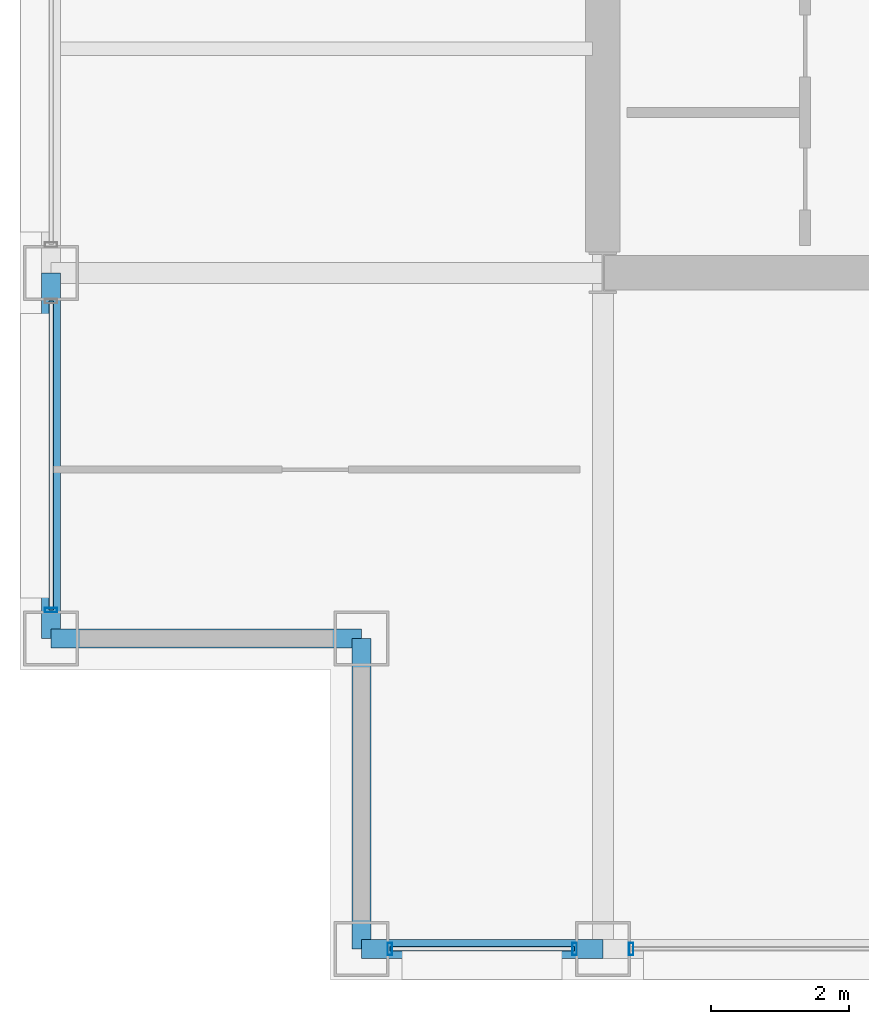
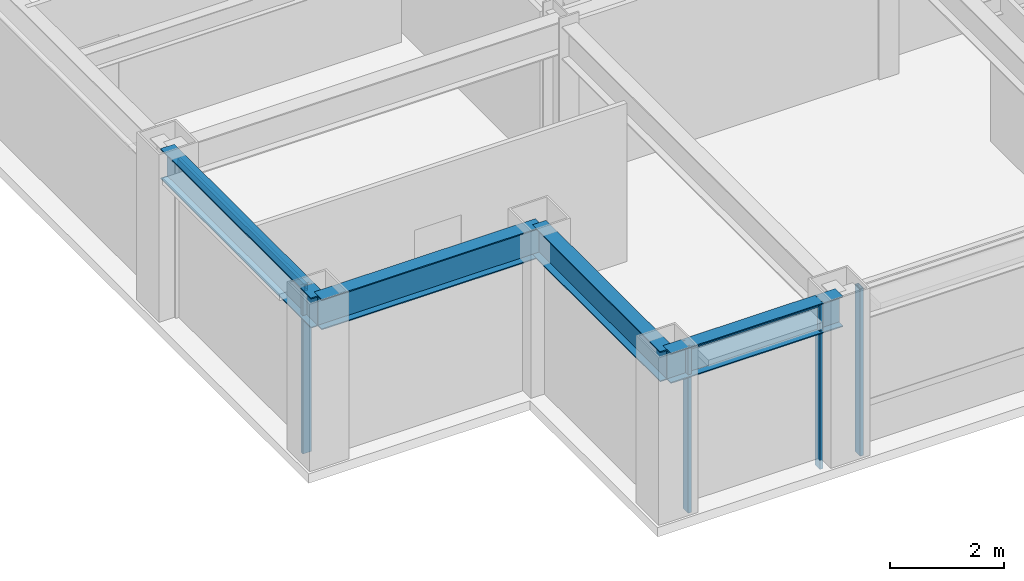
# One storey, part 2 of 29: 6 members, 4 beams, 3 elements without a shape of their own.
"""IFC4 building model written with IfcOpenShell, lengths in metres."""

from ifc_helpers import new_model, si_unit, direction, frame, origin, origin_2d, place, context, subcontext, project, spatial, hollow_rectangle, i_section, extrude, material, layer, layer_set, material_profile, profile_set, type_object, element, aggregate, save


model = new_model("IFC4")

# Units and contexts
model_context = context("Model", 3, precision=1e-05, world=origin(), true_north=direction((0.0, 1.0)))
body_context = subcontext(model_context, "Body", "Model", "MODEL_VIEW")
ifc_project = project(units=[si_unit("LENGTHUNIT", "METRE"), si_unit("AREAUNIT", "SQUARE_METRE"), si_unit("VOLUMEUNIT", "CUBIC_METRE"), si_unit("PLANEANGLEUNIT", "RADIAN"), si_unit("MASSUNIT", "GRAM", prefix="KILO")], contexts=[model_context])

# Site, building, storey
site_placement = place(None, origin())
site = spatial("IfcSite", under=ifc_project, at=site_placement, CompositionType="ELEMENT")
building_placement = place(site_placement, origin())
building = spatial("IfcBuilding", under=site, at=building_placement, Name="Brelmoor Portico Tower", CompositionType="ELEMENT")
storey_placement = place(building_placement, frame((0.0, 0.0, 127.800048828125)))
storey = spatial("IfcBuildingStorey", under=building, at=storey_placement, Name="L33", CompositionType="ELEMENT", Elevation=127.800048828125)

# Beams
ifc_material_1 = material(Name="Steel Q355B", Category="steel")
ifc_material_profile_1 = material_profile(ifc_material_1, i_section(OverallWidth=0.280029296875, OverallDepth=0.64990234375, WebThickness=0.012939453125, FlangeThickness=0.02197265625, at=origin_2d()), Name="HN 650x280x13x22")
ifc_profile_set_1 = profile_set([ifc_material_profile_1], Name="Steel Q355B")
beam_type = type_object("IfcBeamType", Name="BM-SP-650", PredefinedType="SPANDREL", material=ifc_profile_set_1)
beam_1_placement = place(storey_placement, frame((-18.050048828125, -19.550048828125, 3.074951171875), z_axis=(1.0, 0.0, 0.0), x_axis=(0.0, 1.0, 0.0)))
element("IfcBeam", 1, at=beam_1_placement, inside=storey, type_object=beam_type, Name="L33 Perimeter Spandrel Beam SP-01", PredefinedType="SPANDREL", context=body_context, shape_type="SweptSolid", body=[
    extrude(i_section(OverallWidth=0.280029296875, OverallDepth=0.64990234375, WebThickness=0.012939453125, FlangeThickness=0.02197265625, at=origin_2d()), origin(), (0.0, 0.0, 1.0), 3.5),
])
beam_2_placement = place(storey_placement, frame((-22.550048828125, -15.050048828125, 3.074951171875), z_axis=(1.0, 0.0, 0.0), x_axis=(0.0, 1.0, 0.0)))
element("IfcBeam", 2, at=beam_2_placement, inside=storey, type_object=beam_type, Name="L33 Perimeter Spandrel Beam SP-06", PredefinedType="SPANDREL", context=body_context, shape_type="SweptSolid", body=[
    extrude(i_section(OverallWidth=0.280029296875, OverallDepth=0.64990234375, WebThickness=0.012939453125, FlangeThickness=0.02197265625, at=origin_2d()), origin(), (0.0, 0.0, 1.0), 4.5),
])
beam_3_placement = place(storey_placement, frame((-22.550048828125, -15.050048828125, 3.074951171875), z_axis=(0.0, 1.0, 0.0), x_axis=(-1.0, 0.0, 0.0)))
element("IfcBeam", 3, at=beam_3_placement, inside=storey, type_object=beam_type, Name="L33 Perimeter Spandrel Beam SP-15", PredefinedType="SPANDREL", context=body_context, shape_type="SweptSolid", body=[
    extrude(i_section(OverallWidth=0.280029296875, OverallDepth=0.64990234375, WebThickness=0.012939453125, FlangeThickness=0.02197265625, at=origin_2d()), origin(), (0.0, 0.0, 1.0), 5.300048828125),
])
beam_4_placement = place(storey_placement, frame((-18.050048828125, -19.550048828125, 3.074951171875), z_axis=(0.0, 1.0, 0.0), x_axis=(-1.0, 0.0, 0.0)))
element("IfcBeam", 4, at=beam_4_placement, inside=storey, type_object=beam_type, Name="L33 Perimeter Spandrel Beam SP-18", PredefinedType="SPANDREL", context=body_context, shape_type="SweptSolid", body=[
    extrude(i_section(OverallWidth=0.280029296875, OverallDepth=0.64990234375, WebThickness=0.012939453125, FlangeThickness=0.02197265625, at=origin_2d()), origin(), (0.0, 0.0, 1.0), 4.5),
])

# Curtain wall, members
ifc_material_2 = material(Name="Anodised Aluminium Alloy 6063-T6", Category="aluminium")
ifc_layer_1 = layer(ifc_material_2, 0.179931640625)
ifc_layer_set_1 = layer_set([ifc_layer_1], Name="Anodised Aluminium Alloy 6063-T6")
curtain_wall_type_1 = type_object("IfcCurtainWallType", Name="CW-TOWER-Z2-XB", PredefinedType="NOTDEFINED", material=ifc_layer_set_1)
curtain_wall_1_placement = place(storey_placement, origin())
curtain_wall_1 = element("IfcCurtainWall", 5, at=curtain_wall_1_placement, inside=storey, type_object=curtain_wall_type_1, Name="L33 Curtain Wall CW-L33-01-1", PredefinedType="NOTDEFINED")
ifc_material_profile_2 = material_profile(ifc_material_2, hollow_rectangle(XDim=0.06494140625, YDim=0.179931640625, WallThickness=0.00390625, at=origin_2d()), Name="ALU MULLION 65x180")
ifc_profile_set_2 = profile_set([ifc_material_profile_2], Name="Anodised Aluminium Alloy 6063-T6")
member_type_1 = type_object("IfcMemberType", Name="MB-CW-MULL-180", PredefinedType="MULLION", material=ifc_profile_set_2)
member_1_placement = place(storey_placement, frame((-17.639892578125, -19.550048828125, -0.199951171875), z_axis=(0.0, 0.0, 1.0), x_axis=(1.0, 0.0, 0.0)))
member_1 = element("IfcMember", 6, at=member_1_placement, type_object=member_type_1, Name="CW-L33-01-1 Mullion 00", PredefinedType="MULLION", context=body_context, shape_type="SweptSolid", body=[
    extrude(hollow_rectangle(XDim=0.06494140625, YDim=0.179931640625, WallThickness=0.00390625, at=origin_2d()), origin(), (0.0, 0.0, 1.0), 3.599853515625),
])
member_2_placement = place(storey_placement, frame((-14.9599609375, -19.550048828125, -0.199951171875), z_axis=(0.0, 0.0, 1.0), x_axis=(1.0, 0.0, 0.0)))
member_2 = element("IfcMember", 7, at=member_2_placement, type_object=member_type_1, Name="CW-L33-01-1 Mullion 01", PredefinedType="MULLION", context=body_context, shape_type="SweptSolid", body=[
    extrude(hollow_rectangle(XDim=0.06494140625, YDim=0.179931640625, WallThickness=0.00390625, at=origin_2d()), origin(), (0.0, 0.0, 1.0), 3.599853515625),
])

# Curtain wall, member
ifc_layer_2 = layer(ifc_material_2, 0.179931640625)
ifc_layer_set_2 = layer_set([ifc_layer_2], Name="Anodised Aluminium Alloy 6063-T6")
curtain_wall_type_2 = type_object("IfcCurtainWallType", Name="CW-TOWER-Z2", PredefinedType="NOTDEFINED", material=ifc_layer_set_2)
curtain_wall_2_placement = place(storey_placement, origin())
curtain_wall_2 = element("IfcCurtainWall", 8, at=curtain_wall_2_placement, inside=storey, type_object=curtain_wall_type_2, Name="L33 Curtain Wall CW-L33-01-2", PredefinedType="NOTDEFINED")
member_3_placement = place(storey_placement, frame((-14.139892578125, -19.550048828125, -0.199951171875), z_axis=(0.0, 0.0, 1.0), x_axis=(1.0, 0.0, 0.0)))
member_3 = element("IfcMember", 9, at=member_3_placement, type_object=member_type_1, Name="CW-L33-01-2 Mullion 00", PredefinedType="MULLION", context=body_context, shape_type="SweptSolid", body=[
    extrude(hollow_rectangle(XDim=0.06494140625, YDim=0.179931640625, WallThickness=0.00390625, at=origin_2d()), origin(), (0.0, 0.0, 1.0), 3.599853515625),
])
aggregate(curtain_wall_2, [member_3])

curtain_wall_3_placement = place(storey_placement, origin())
curtain_wall_3 = element("IfcCurtainWall", 10, at=curtain_wall_3_placement, inside=storey, type_object=curtain_wall_type_1, Name="L33 Curtain Wall CW-L33-03-1", PredefinedType="NOTDEFINED")
member_4_placement = place(storey_placement, frame((-22.550048828125, -14.639892578125, -0.199951171875), z_axis=(0.0, 0.0, 1.0), x_axis=(0.0, 1.0, 0.0)))
member_4 = element("IfcMember", 11, at=member_4_placement, type_object=member_type_1, Name="CW-L33-03-1 Mullion 00", PredefinedType="MULLION", context=body_context, shape_type="SweptSolid", body=[
    extrude(hollow_rectangle(XDim=0.06494140625, YDim=0.179931640625, WallThickness=0.00390625, at=origin_2d()), origin(), (0.0, 0.0, 1.0), 3.599853515625),
])

# Member
ifc_material_profile_3 = material_profile(ifc_material_2, hollow_rectangle(XDim=0.06494140625, YDim=0.139892578125, WallThickness=0.00390625, at=origin_2d()), Name="ALU TRANSOM 65x140")
ifc_profile_set_3 = profile_set([ifc_material_profile_3], Name="Anodised Aluminium Alloy 6063-T6")
member_type_2 = type_object("IfcMemberType", Name="MB-CW-TRAN-140", PredefinedType="USERDEFINED", material=ifc_profile_set_3)
member_5_placement = place(storey_placement, frame((-17.639892578125, -19.550048828125, 3.329833984375), z_axis=(1.0, 0.0, 0.0), x_axis=(0.0, 1.0, 0.0)))
member_5 = element("IfcMember", 12, at=member_5_placement, type_object=member_type_2, Name="CW-L33-01-1 Transom 1-00", ObjectType="TRANSOM", PredefinedType="USERDEFINED", context=body_context, shape_type="SweptSolid", body=[
    extrude(hollow_rectangle(XDim=0.06494140625, YDim=0.139892578125, WallThickness=0.00390625, at=origin_2d()), origin(), (0.0, 0.0, 1.0), 2.679931640625),
])

aggregate(curtain_wall_1, [member_1, member_2, member_5])

member_6_placement = place(storey_placement, frame((-22.550048828125, -14.639892578125, 3.329833984375), z_axis=(0.0, 1.0, 0.0), x_axis=(-1.0, 0.0, 0.0)))
member_6 = element("IfcMember", 13, at=member_6_placement, type_object=member_type_2, Name="CW-L33-03-1 Transom 1-00", ObjectType="TRANSOM", PredefinedType="USERDEFINED", context=body_context, shape_type="SweptSolid", body=[
    extrude(hollow_rectangle(XDim=0.06494140625, YDim=0.139892578125, WallThickness=0.00390625, at=origin_2d()), origin(), (0.0, 0.0, 1.0), 4.47998046875),
])

aggregate(curtain_wall_3, [member_4, member_6])

save(model, "model.ifc")
